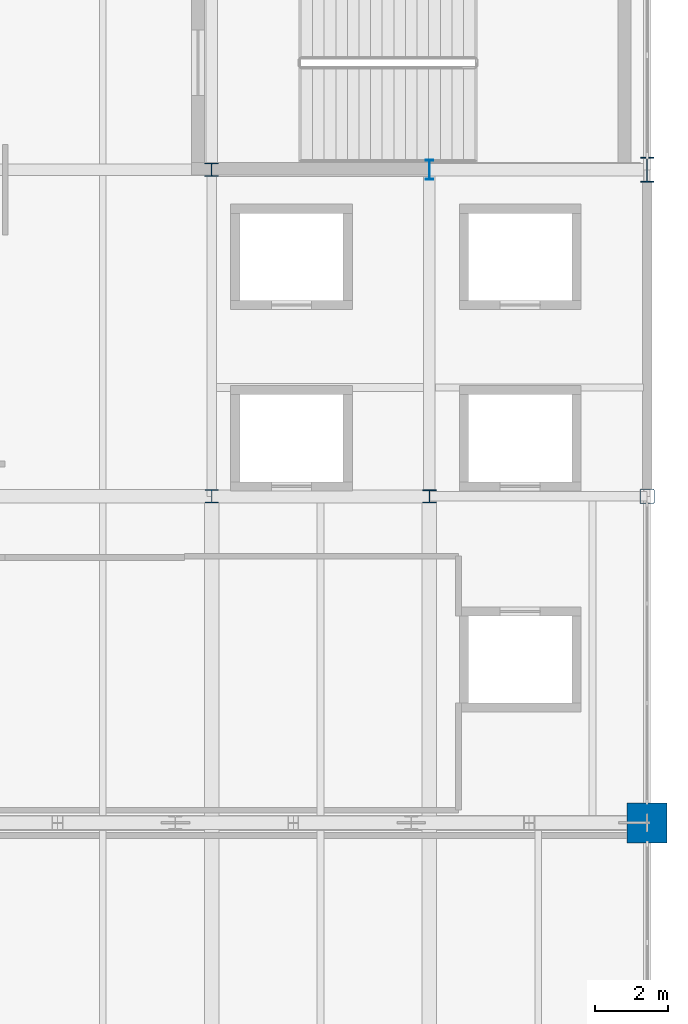
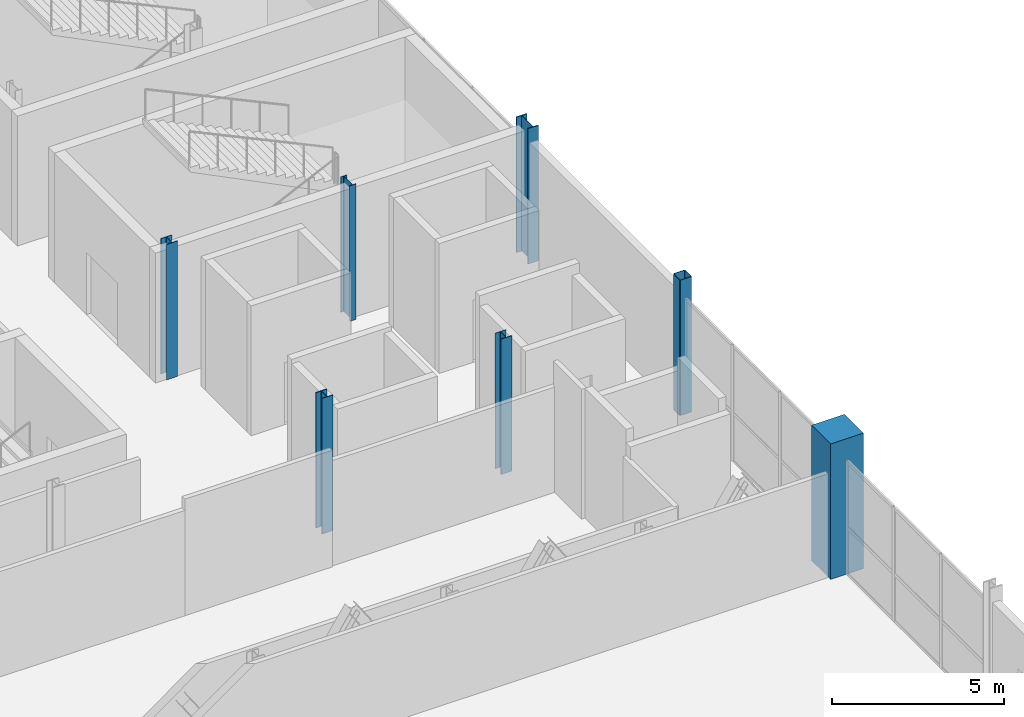
# One storey, part 13 of 224: 7 columns.
"""IFC4 building model written with IfcOpenShell, lengths in metres."""

from ifc_helpers import new_model, si_unit, direction, frame, origin, origin_2d, place, context, subcontext, project, spatial, rectangle, hollow_rectangle, i_section, extrude, material, material_profile, profile_set, type_object, element, save


model = new_model("IFC4")

# Units and contexts
model_context = context("Model", 3, precision=1e-05, world=origin(), true_north=direction((0.0, 1.0)))
body_context = subcontext(model_context, "Body", "Model", "MODEL_VIEW")
ifc_project = project(units=[si_unit("LENGTHUNIT", "METRE"), si_unit("AREAUNIT", "SQUARE_METRE"), si_unit("VOLUMEUNIT", "CUBIC_METRE"), si_unit("PLANEANGLEUNIT", "RADIAN"), si_unit("MASSUNIT", "GRAM", prefix="KILO")], contexts=[model_context])

# Site, building, storey
site_placement = place(None, origin())
site = spatial("IfcSite", under=ifc_project, at=site_placement, CompositionType="ELEMENT")
building_placement = place(site_placement, origin())
building = spatial("IfcBuilding", under=site, at=building_placement, Name="Qamarlyn Nura Convention Centre", CompositionType="ELEMENT")
storey_placement = place(building_placement, frame((0.0, 0.0, 10.800048828125)))
storey = spatial("IfcBuildingStorey", under=building, at=storey_placement, Name="L02", CompositionType="ELEMENT", Elevation=10.800048828125)

# Columns
ifc_material_1 = material(Name="Steel ASTM A500 Grade C", Category="steel")
ifc_material_profile_1 = material_profile(ifc_material_1, hollow_rectangle(XDim=0.39990234375, YDim=0.39990234375, WallThickness=0.01611328125, InnerFilletRadius=0.01611328125, OuterFilletRadius=0.031982421875, at=origin_2d()), Name="HSS400X400X16")
ifc_profile_set_1 = profile_set([ifc_material_profile_1], Name="Steel ASTM A500 Grade C")
column_type_1 = type_object("IfcColumnType", Name="COL-HSS-1", PredefinedType="COLUMN", material=ifc_profile_set_1)
column_1_placement = place(storey_placement, frame((192.0, 54.0, 0.0), z_axis=(0.0, 0.0, 1.0), x_axis=(1.0, 0.0, 0.0)))
element("IfcColumn", 1, at=column_1_placement, inside=storey, type_object=column_type_1, Name="L02 column 18/G", PredefinedType="COLUMN", context=body_context, shape_type="SweptSolid", body=[
    extrude(hollow_rectangle(XDim=0.39990234375, YDim=0.39990234375, WallThickness=0.01611328125, InnerFilletRadius=0.01611328125, OuterFilletRadius=0.031982421875, at=origin_2d()), origin(), (0.0, 0.0, 1.0), 4.800048828125),
])
ifc_material_2 = material(Name="Concrete C50/60", Category="concrete")
ifc_material_profile_2 = material_profile(ifc_material_2, rectangle(XDim=1.10009765625, YDim=1.10009765625, at=origin_2d()), Name="RC 1100x1100")
ifc_profile_set_2 = profile_set([ifc_material_profile_2], Name="Concrete C50/60")
column_type_2 = type_object("IfcColumnType", Name="COL-MEGA-2", PredefinedType="COLUMN", material=ifc_profile_set_2)
column_2_placement = place(storey_placement, frame((192.0, 45.0, 0.0), z_axis=(0.0, 0.0, 1.0), x_axis=(1.0, 0.0, 0.0)))
element("IfcColumn", 2, at=column_2_placement, inside=storey, type_object=column_type_2, Name="L02 column 18/F", PredefinedType="COLUMN", context=body_context, shape_type="SweptSolid", body=[
    extrude(rectangle(XDim=1.10009765625, YDim=1.10009765625, at=origin_2d()), origin(), (0.0, 0.0, 1.0), 4.800048828125),
])
ifc_material_3 = material(Name="Steel ASTM A992", Category="steel")
ifc_material_profile_3 = material_profile(ifc_material_3, i_section(OverallWidth=0.3740234375, OverallDepth=0.3720703125, WebThickness=0.016357421875, FlangeThickness=0.026123046875, FilletRadius=0.01611328125, at=origin_2d()), Name="W360X196")
ifc_profile_set_3 = profile_set([ifc_material_profile_3], Name="Steel ASTM A992")
column_type_3 = type_object("IfcColumnType", Name="COL-WING-2", PredefinedType="COLUMN", material=ifc_profile_set_3)
column_3_placement = place(storey_placement, frame((180.0, 54.0, 0.0), z_axis=(0.0, 0.0, 1.0), x_axis=(1.0, 0.0, 0.0)))
element("IfcColumn", 3, at=column_3_placement, inside=storey, type_object=column_type_3, Name="L02 column 16/G", PredefinedType="COLUMN", context=body_context, shape_type="SweptSolid", body=[
    extrude(i_section(OverallWidth=0.3740234375, OverallDepth=0.3720703125, WebThickness=0.016357421875, FlangeThickness=0.026123046875, FilletRadius=0.01611328125, at=origin_2d()), origin(), (0.0, 0.0, 1.0), 4.800048828125),
])
ifc_material_profile_4 = material_profile(ifc_material_3, i_section(OverallWidth=0.368896484375, OverallDepth=0.35595703125, WebThickness=0.01123046875, FlangeThickness=0.01806640625, FilletRadius=0.014892578125, at=origin_2d()), Name="W360X134")
ifc_profile_set_4 = profile_set([ifc_material_profile_4], Name="Steel ASTM A992")
column_type_4 = type_object("IfcColumnType", Name="COL-WING-3", PredefinedType="COLUMN", material=ifc_profile_set_4)
for number, where, z_axis, x_axis, name in (
    (4, (180.0, 63.0, 0.0), (0.0, 0.0, 1.0), (1.0, 0.0, 0.0), "L02 column 16/H"),
    (5, (186.0, 54.0, 0.0), (0.0, 0.0, 1.0), (1.0, 0.0, 0.0), "L02 column 17/G"),
):
    element("IfcColumn", number, at=place(storey_placement, frame(where, z_axis=z_axis, x_axis=x_axis)), inside=storey, type_object=column_type_4, Name=name, PredefinedType="COLUMN", context=body_context, shape_type="SweptSolid", body=[
        extrude(i_section(OverallWidth=0.368896484375, OverallDepth=0.35595703125, WebThickness=0.01123046875, FlangeThickness=0.01806640625, FilletRadius=0.014892578125, at=origin_2d()), origin(), (0.0, 0.0, 1.0), 4.800048828125),
    ])
ifc_material_profile_5 = material_profile(ifc_material_3, i_section(OverallWidth=0.35498046875, OverallDepth=0.695068359375, WebThickness=0.015380859375, FlangeThickness=0.02490234375, FilletRadius=0.01806640625, at=origin_2d()), Name="W690X217")
ifc_profile_set_5 = profile_set([ifc_material_profile_5], Name="Steel ASTM A992")
column_type_5 = type_object("IfcColumnType", Name="COL-WING-5", PredefinedType="COLUMN", material=ifc_profile_set_5)
column_4_placement = place(storey_placement, frame((192.0, 63.0, 0.0), z_axis=(0.0, 0.0, 1.0), x_axis=(1.0, 0.0, 0.0)))
element("IfcColumn", 6, at=column_4_placement, inside=storey, type_object=column_type_5, Name="L02 column 18/H", PredefinedType="COLUMN", context=body_context, shape_type="SweptSolid", body=[
    extrude(i_section(OverallWidth=0.35498046875, OverallDepth=0.695068359375, WebThickness=0.015380859375, FlangeThickness=0.02490234375, FilletRadius=0.01806640625, at=origin_2d()), origin(), (0.0, 0.0, 1.0), 4.800048828125),
])
ifc_material_profile_6 = material_profile(ifc_material_3, i_section(OverallWidth=0.2109375, OverallDepth=0.5390625, WebThickness=0.01171875, FlangeThickness=0.018798828125, FilletRadius=0.013916015625, at=origin_2d()), Name="W530X109")
ifc_profile_set_6 = profile_set([ifc_material_profile_6], Name="Steel ASTM A992")
column_type_6 = type_object("IfcColumnType", Name="COL-WING-7", PredefinedType="COLUMN", material=ifc_profile_set_6)
column_5_placement = place(storey_placement, frame((186.0, 63.0, 0.0), z_axis=(0.0, 0.0, 1.0), x_axis=(1.0, 0.0, 0.0)))
element("IfcColumn", 7, at=column_5_placement, inside=storey, type_object=column_type_6, Name="L02 column 17/H", PredefinedType="COLUMN", context=body_context, shape_type="SweptSolid", body=[
    extrude(i_section(OverallWidth=0.2109375, OverallDepth=0.5390625, WebThickness=0.01171875, FlangeThickness=0.018798828125, FilletRadius=0.013916015625, at=origin_2d()), origin(), (0.0, 0.0, 1.0), 4.800048828125),
])

save(model, "model.ifc")
